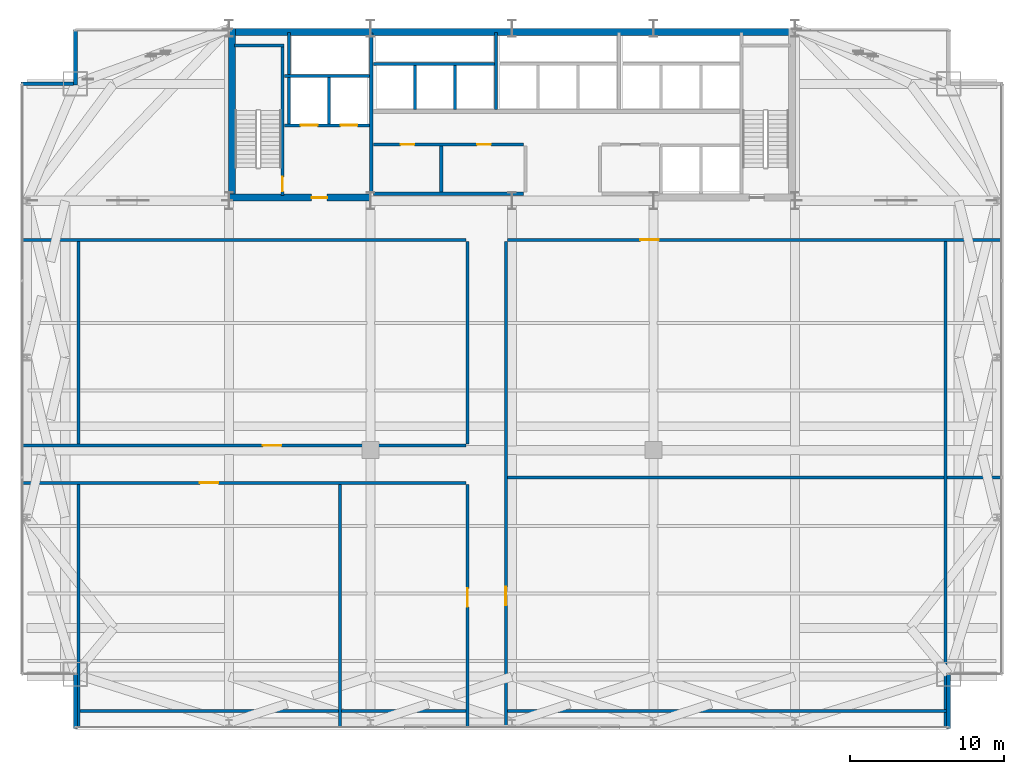
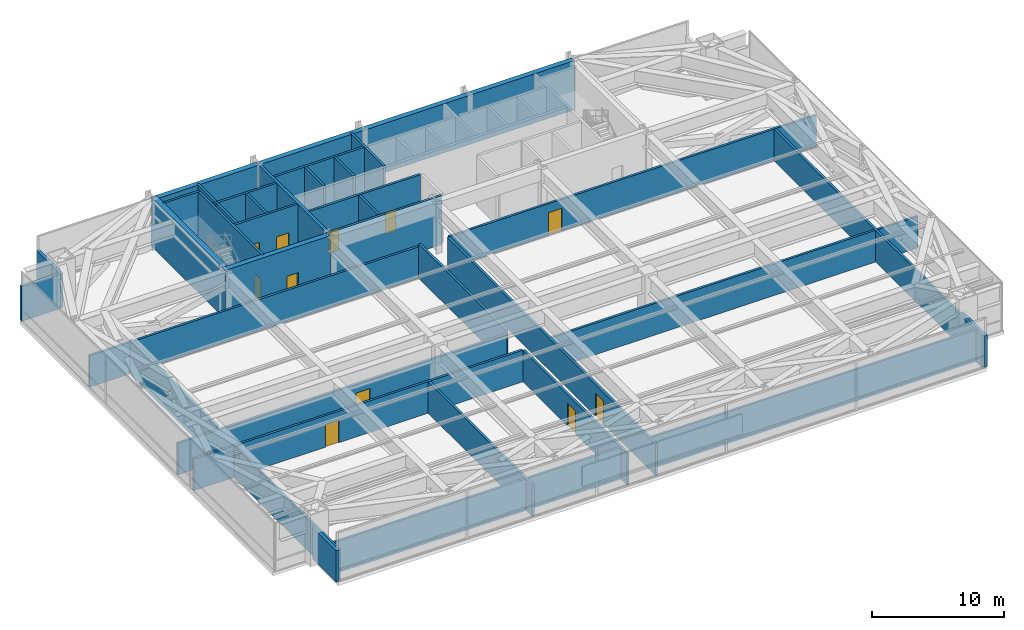
# One storey, part 28 of 30: 35 walls, 11 doors, 11 openings.
"""IFC4 building model written with IfcOpenShell, lengths in metres."""

from ifc_helpers import new_model, si_unit, direction, frame, frame_2d, origin, place, context, subcontext, project, spatial, rectangle, extrude, source, transform, mapped, material, layer, layer_set, type_object, type_shapes, element, fill, save


model = new_model("IFC4")

# Units and contexts
model_context = context("Model", 3, precision=1e-05, world=origin(), true_north=direction((0.0, 1.0)))
body_context = subcontext(model_context, "Body", "Model", "MODEL_VIEW")
ifc_project = project(units=[si_unit("LENGTHUNIT", "METRE"), si_unit("AREAUNIT", "SQUARE_METRE"), si_unit("VOLUMEUNIT", "CUBIC_METRE"), si_unit("PLANEANGLEUNIT", "RADIAN"), si_unit("MASSUNIT", "GRAM", prefix="KILO")], contexts=[model_context])

# Site, building, storey
site_placement = place(None, origin())
site = spatial("IfcSite", under=ifc_project, at=site_placement, CompositionType="ELEMENT")
building_placement = place(site_placement, origin())
building = spatial("IfcBuilding", under=site, at=building_placement, Name="Varnel Quay Broadcast Tower", CompositionType="ELEMENT")
storey_placement = place(building_placement, frame((0.0, 0.0, 82.199951171875)))
storey = spatial("IfcBuildingStorey", under=building, at=storey_placement, Name="L19", CompositionType="ELEMENT", Elevation=82.199951171875)

# Wall, opening, door
ifc_material_1 = material(Name="Concrete CSA A23.3 C50/60", Category="concrete")
ifc_layer_1 = layer(ifc_material_1, 0.199951171875, Name="Concrete CSA A23.3 C50/60")
ifc_layer_set_1 = layer_set([ifc_layer_1], Name="Concrete CSA A23.3 C50/60")
wall_type_1 = type_object("IfcWallType", Name="Wall_CoreShaftShear200", PredefinedType="SHEAR", material=ifc_layer_set_1)
wall_1_placement = place(storey_placement, frame((19.080078125, 35.949951171875, 0.0), z_axis=(0.0, 0.0, 1.0), x_axis=(0.0, 1.0, 0.0)))
wall_1 = element("IfcWall", 1, at=wall_1_placement, inside=storey, type_object=wall_type_1, Name="L19 Stair 1 East Structural Wall", PredefinedType="SHEAR", context=body_context, shape_type="SweptSolid", body=[
    extrude(rectangle(XDim=9.650146484375, YDim=0.199951171875, at=frame_2d((4.8251953125, 0.0))), origin(), (0.0, 0.0, 1.0), 4.550048828125),
])
opening_1_placement = place(wall_1_placement, frame((0.25, 0.0, 0.0)))
opening_1 = element("IfcOpeningElement", 2, at=opening_1_placement, cuts=wall_1, Name="Opening D-L19-S1", PredefinedType="OPENING", context=body_context, shape_type="SweptSolid", body=[
    extrude(rectangle(XDim=0.949951171875, YDim=2.10009765625, at=frame_2d((0.47509765625, 1.050048828125))), frame((0.0, 0.10986328125, 0.0), z_axis=(0.0, -1.0, 0.0), x_axis=(1.0, 0.0, 0.0)), (0.0, 0.0, 1.0), 0.219970703125),
])
ifc_material_2 = material(Name="Insulated Fire-Rated Hollow Steel Door", Category="steel")
door_type_1 = type_object("IfcDoorType", Name="Door_FireStair950", OperationType="NOTDEFINED", PredefinedType="DOOR", material=ifc_material_2)
shared_shape_1 = source(origin(), body_context, "Body", "SweptSolid", [
    extrude(rectangle(XDim=0.949951171875, YDim=2.10009765625, at=frame_2d((0.47509765625, 1.050048828125))), frame((0.0, 0.02490234375, 0.0), z_axis=(0.0, -1.0, 0.0), x_axis=(1.0, 0.0, 0.0)), (0.0, 0.0, 1.0), 0.050048828125),
])
type_shapes(door_type_1, [shared_shape_1])
door_1_placement = place(opening_1_placement, origin())
door_1 = element("IfcDoor", 3, at=door_1_placement, inside=storey, type_object=door_type_1, Name="L19 Stair 1 Fire Door", OperationType="SINGLE_SWING_LEFT", OverallHeight=2.10009765625, OverallWidth=0.949951171875, PredefinedType="DOOR", context=body_context, shape_type="MappedRepresentation", body=[
    mapped(shared_shape_1, transform((0.0, 0.0, 0.0), x_axis=(1.0, 0.0, 0.0), y_axis=(0.0, 1.0, 0.0), z_axis=(0.0, 0.0, 1.0), scale=1.0)),
])
fill(opening_1, door_1)

# Wall
wall_2_placement = place(storey_placement, frame((15.949951171875, 45.679931640625, 0.0), z_axis=(0.0, 0.0, 1.0), x_axis=(1.0, 0.0, 0.0)))
element("IfcWall", 4, at=wall_2_placement, inside=storey, type_object=wall_type_1, Name="L19 Stair 1 North Structural Wall", PredefinedType="SHEAR", context=body_context, shape_type="SweptSolid", body=[
    extrude(rectangle(XDim=3.22998046875, YDim=0.199951171875, at=frame_2d((1.614990234375, 0.0))), origin(), (0.0, 0.0, 1.0), 4.550048828125),
])

# Wall, openings, doors
wall_3_placement = place(storey_placement, frame((19.199951171875, 40.5, 0.0), z_axis=(0.0, 0.0, 1.0), x_axis=(1.0, 0.0, 0.0)))
wall_3 = element("IfcWall", 5, at=wall_3_placement, inside=storey, type_object=wall_type_1, Name="L19 Firefighter Lift Shaft Front Wall", PredefinedType="SHEAR", context=body_context, shape_type="SweptSolid", body=[
    extrude(rectangle(XDim=5.52001953125, YDim=0.199951171875, at=frame_2d((2.760009765625, 0.0))), origin(), (0.0, 0.0, 1.0), 4.550048828125),
])
opening_2_placement = place(wall_3_placement, frame((1.050048828125, 0.0, 0.0)))
opening_2 = element("IfcOpeningElement", 6, at=opening_2_placement, cuts=wall_3, Name="Opening LD-L19-FE1", PredefinedType="OPENING", context=body_context, shape_type="SweptSolid", body=[
    extrude(rectangle(XDim=1.10009765625, YDim=2.179931640625, at=frame_2d((0.550048828125, 1.08984375))), frame((0.0, 0.10986328125, 0.0), z_axis=(0.0, -1.0, 0.0), x_axis=(1.0, 0.0, 0.0)), (0.0, 0.0, 1.0), 0.219970703125),
])
opening_3_placement = place(wall_3_placement, frame((3.64990234375, 0.0, 0.0)))
opening_3 = element("IfcOpeningElement", 7, at=opening_3_placement, cuts=wall_3, Name="Opening LD-L19-FE2", PredefinedType="OPENING", context=body_context, shape_type="SweptSolid", body=[
    extrude(rectangle(XDim=1.10009765625, YDim=2.179931640625, at=frame_2d((0.550048828125, 1.08984375))), frame((0.0, 0.10986328125, 0.0), z_axis=(0.0, -1.0, 0.0), x_axis=(1.0, 0.0, 0.0)), (0.0, 0.0, 1.0), 0.219970703125),
])
ifc_material_3 = material(Name="Brushed Bronze-Stainless Lift Car & Sliding Doors", Category="steel")
door_type_2 = type_object("IfcDoorType", Name="Door_LiftLanding1100", OperationType="SLIDING_TO_LEFT", PredefinedType="DOOR", material=ifc_material_3)
shared_shape_2 = source(origin(), body_context, "Body", "SweptSolid", [
    extrude(rectangle(XDim=1.10009765625, YDim=2.179931640625, at=frame_2d((0.550048828125, 1.08984375))), frame((0.0, 0.02490234375, 0.0), z_axis=(0.0, -1.0, 0.0), x_axis=(1.0, 0.0, 0.0)), (0.0, 0.0, 1.0), 0.050048828125),
])
type_shapes(door_type_2, [shared_shape_2])
door_2_placement = place(opening_2_placement, frame((1.10009765625, 0.0, 0.0), z_axis=(0.0, 0.0, 1.0), x_axis=(-1.0, 0.0, 0.0)))
door_2 = element("IfcDoor", 8, at=door_2_placement, inside=storey, type_object=door_type_2, Name="L19 Firefighter Lift FE-01 Landing Door", OperationType="SLIDING_TO_LEFT", OverallHeight=2.179931640625, OverallWidth=1.10009765625, PredefinedType="DOOR", context=body_context, shape_type="MappedRepresentation", body=[
    mapped(shared_shape_2, transform((0.0, 0.0, 0.0), x_axis=(1.0, 0.0, 0.0), y_axis=(0.0, 1.0, 0.0), z_axis=(0.0, 0.0, 1.0), scale=1.0)),
])
fill(opening_2, door_2)
door_3_placement = place(opening_3_placement, frame((1.10009765625, 0.0, 0.0), z_axis=(0.0, 0.0, 1.0), x_axis=(-1.0, 0.0, 0.0)))
door_3 = element("IfcDoor", 9, at=door_3_placement, inside=storey, type_object=door_type_2, Name="L19 Firefighter Lift FE-02 Landing Door", OperationType="SLIDING_TO_RIGHT", OverallHeight=2.179931640625, OverallWidth=1.10009765625, PredefinedType="DOOR", context=body_context, shape_type="MappedRepresentation", body=[
    mapped(shared_shape_2, transform((0.0, 0.0, 0.0), x_axis=(1.0, 0.0, 0.0), y_axis=(0.0, 1.0, 0.0), z_axis=(0.0, 0.0, 1.0), scale=1.0)),
])
fill(opening_3, door_3)

# Walls
wall_4_placement = place(storey_placement, frame((19.199951171875, 43.699951171875, 0.0), z_axis=(0.0, 0.0, 1.0), x_axis=(1.0, 0.0, 0.0)))
element("IfcWall", 10, at=wall_4_placement, inside=storey, type_object=wall_type_1, Name="L19 Firefighter Lift Shaft Rear Wall", PredefinedType="SHEAR", context=body_context, shape_type="SweptSolid", body=[
    extrude(rectangle(XDim=5.52001953125, YDim=0.199951171875, at=frame_2d((2.760009765625, 0.0))), origin(), (0.0, 0.0, 1.0), 4.550048828125),
])
wall_5_placement = place(storey_placement, frame((22.10009765625, 40.60009765625, 0.0), z_axis=(0.0, 0.0, 1.0), x_axis=(0.0, 1.0, 0.0)))
element("IfcWall", 11, at=wall_5_placement, inside=storey, type_object=wall_type_1, Name="L19 Firefighter Lift Shaft Divider", PredefinedType="SHEAR", context=body_context, shape_type="SweptSolid", body=[
    extrude(rectangle(XDim=3.0, YDim=0.199951171875, at=frame_2d((1.5, 0.0))), origin(), (0.0, 0.0, 1.0), 4.550048828125),
])
wall_6_placement = place(storey_placement, frame((19.5, 40.60009765625, 0.0), z_axis=(0.0, 0.0, 1.0), x_axis=(0.0, 1.0, 0.0)))
element("IfcWall", 12, at=wall_6_placement, inside=storey, type_object=wall_type_1, Name="L19 Firefighter Lift Shaft West Wall", PredefinedType="SHEAR", context=body_context, shape_type="SweptSolid", body=[
    extrude(rectangle(XDim=5.949951171875, YDim=0.199951171875, at=frame_2d((2.97509765625, 0.0))), origin(), (0.0, 0.0, 1.0), 4.550048828125),
])
wall_7_placement = place(storey_placement, frame((24.97998046875, 44.5, 0.0), z_axis=(0.0, 0.0, 1.0), x_axis=(1.0, 0.0, 0.0)))
element("IfcWall", 13, at=wall_7_placement, inside=storey, type_object=wall_type_1, Name="L19 Low-Rise Lift Shaft Rear Wall", PredefinedType="SHEAR", context=body_context, shape_type="SweptSolid", body=[
    extrude(rectangle(XDim=7.8701171875, YDim=0.199951171875, at=frame_2d((3.93505859375, 0.0))), origin(), (0.0, 0.0, 1.0), 4.550048828125),
])
for number, where, z_axis, x_axis, name in (
    (14, (27.699951171875, 41.530029296875, 0.0), (0.0, 0.0, 1.0), (0.0, 1.0, 0.0), "L19 Low-Rise Lift Shaft Divider 1"),
    (15, (30.300048828125, 41.530029296875, 0.0), (0.0, 0.0, 1.0), (0.0, 1.0, 0.0), "L19 Low-Rise Lift Shaft Divider 2"),
):
    element("IfcWall", number, at=place(storey_placement, frame(where, z_axis=z_axis, x_axis=x_axis)), inside=storey, type_object=wall_type_1, Name=name, PredefinedType="SHEAR", context=body_context, shape_type="SweptSolid", body=[
        extrude(rectangle(XDim=2.869873046875, YDim=0.199951171875, at=frame_2d((1.43505859375, 0.0))), origin(), (0.0, 0.0, 1.0), 4.550048828125),
    ])
wall_8_placement = place(storey_placement, frame((32.949951171875, 41.530029296875, 0.0), z_axis=(0.0, 0.0, 1.0), x_axis=(0.0, 1.0, 0.0)))
element("IfcWall", 16, at=wall_8_placement, inside=storey, type_object=wall_type_1, Name="L19 Low-Rise Lift Shaft Divider 3", PredefinedType="SHEAR", context=body_context, shape_type="SweptSolid", body=[
    extrude(rectangle(XDim=5.02001953125, YDim=0.199951171875, at=frame_2d((2.510009765625, 0.0))), origin(), (0.0, 0.0, 1.0), 4.550048828125),
])
ifc_layer_2 = layer(ifc_material_1, 0.25, Name="Concrete CSA A23.3 C50/60")
ifc_layer_set_2 = layer_set([ifc_layer_2], Name="Concrete CSA A23.3 C50/60")
wall_type_2 = type_object("IfcWallType", Name="Wall_CoreShaftShear250", PredefinedType="SHEAR", material=ifc_layer_set_2)
wall_9_placement = place(storey_placement, frame((24.85009765625, 36.050048828125, 0.0), z_axis=(0.0, 0.0, 1.0), x_axis=(0.0, 1.0, 0.0)))
element("IfcWall", 17, at=wall_9_placement, inside=storey, type_object=wall_type_2, Name="L19 Firefighting Lobby East Structural Wall", PredefinedType="SHEAR", context=body_context, shape_type="SweptSolid", body=[
    extrude(rectangle(XDim=10.449951171875, YDim=0.25, at=frame_2d((5.22509765625, 0.0))), origin(), (0.0, 0.0, 1.0), 4.550048828125),
])
ifc_material_4 = material(Name="Concrete CSA A23.3 C60/75", Category="concrete")
ifc_layer_3 = layer(ifc_material_4, 0.449951171875, Name="Concrete CSA A23.3 C60/75")
ifc_layer_set_3 = layer_set([ifc_layer_3], Name="Concrete CSA A23.3 C60/75")
wall_type_3 = type_object("IfcWallType", Name="Wall_CoreShearExt450", PredefinedType="SHEAR", material=ifc_layer_set_3)
wall_10_placement = place(storey_placement, frame((15.60009765625, 46.574951171875, 0.0), z_axis=(0.0, 0.0, 1.0), x_axis=(1.0, 0.0, 0.0)))
element("IfcWall", 18, at=wall_10_placement, inside=storey, type_object=wall_type_3, Name="L19 North Core Shear Wall", PredefinedType="SHEAR", context=body_context, shape_type="SweptSolid", body=[
    extrude(rectangle(XDim=36.7998046875, YDim=0.449951171875, at=frame_2d((18.39990234375, 0.0))), origin(), (0.0, 0.0, 1.0), 4.550048828125),
])
ifc_layer_4 = layer(ifc_material_4, 0.449951171875, Name="Concrete CSA A23.3 C60/75")
ifc_layer_set_4 = layer_set([ifc_layer_4], Name="Concrete CSA A23.3 C60/75")
wall_type_4 = type_object("IfcWallType", Name="Wall_CoreShearInt450", PredefinedType="SHEAR", material=ifc_layer_set_4)
wall_11_placement = place(storey_placement, frame((15.794921875, 35.570068359375, 0.0), z_axis=(0.0, 0.0, 1.0), x_axis=(0.0, 1.0, 0.0)))
element("IfcWall", 19, at=wall_11_placement, inside=storey, type_object=wall_type_4, Name="L19 West Core Shear Wall", PredefinedType="SHEAR", context=body_context, shape_type="SweptSolid", body=[
    extrude(rectangle(XDim=11.22998046875, YDim=0.449951171875, at=frame_2d((5.614990234375, 0.0))), origin(), (0.0, 0.0, 1.0), 4.550048828125),
])

# Wall, opening, door
wall_12_placement = place(storey_placement, frame((15.570068359375, 35.794921875, 0.0), z_axis=(0.0, 0.0, 1.0), x_axis=(1.0, 0.0, 0.0)))
wall_12 = element("IfcWall", 20, at=wall_12_placement, inside=storey, type_object=wall_type_4, Name="L19 South-West Core Shear Wall", PredefinedType="SHEAR", context=body_context, shape_type="SweptSolid", body=[
    extrude(rectangle(XDim=9.22998046875, YDim=0.449951171875, at=frame_2d((4.614990234375, 0.0))), origin(), (0.0, 0.0, 1.0), 4.550048828125),
])
opening_4_placement = place(wall_12_placement, frame((5.39990234375, 0.0, 0.0)))
opening_4 = element("IfcOpeningElement", 21, at=opening_4_placement, cuts=wall_12, Name="Opening D-L19-FFL", PredefinedType="OPENING", context=body_context, shape_type="SweptSolid", body=[
    extrude(rectangle(XDim=1.0, YDim=2.10009765625, at=frame_2d((0.5, 1.050048828125))), frame((0.0, 0.23486328125, 0.0), z_axis=(0.0, -1.0, 0.0), x_axis=(1.0, 0.0, 0.0)), (0.0, 0.0, 1.0), 0.469970703125),
])
door_type_3 = type_object("IfcDoorType", Name="Door_FireLobby1000", OperationType="NOTDEFINED", PredefinedType="DOOR", material=ifc_material_2)
shared_shape_3 = source(origin(), body_context, "Body", "SweptSolid", [
    extrude(rectangle(XDim=1.0, YDim=2.10009765625, at=frame_2d((0.5, 1.050048828125))), frame((0.0, 0.02490234375, 0.0), z_axis=(0.0, -1.0, 0.0), x_axis=(1.0, 0.0, 0.0)), (0.0, 0.0, 1.0), 0.050048828125),
])
type_shapes(door_type_3, [shared_shape_3])
door_4_placement = place(opening_4_placement, origin())
door_4 = element("IfcDoor", 22, at=door_4_placement, inside=storey, type_object=door_type_3, Name="L19 Firefighting Lobby Door", OperationType="SINGLE_SWING_RIGHT", OverallHeight=2.10009765625, OverallWidth=1.0, PredefinedType="DOOR", context=body_context, shape_type="MappedRepresentation", body=[
    mapped(shared_shape_3, transform((0.0, 0.0, 0.0), x_axis=(1.0, 0.0, 0.0), y_axis=(0.0, 1.0, 0.0), z_axis=(0.0, 0.0, 1.0), scale=1.0)),
])
fill(opening_4, door_4)

# Walls
ifc_material_5 = material(Name="Precast Architectural Concrete C40/50", Category="concrete")
ifc_layer_5 = layer(ifc_material_5, 0.25, Name="Precast Architectural Concrete C40/50")
ifc_layer_set_5 = layer_set([ifc_layer_5], Name="Precast Architectural Concrete C40/50")
wall_type_5 = type_object("IfcWallType", Name="Wall_ExtTerrace250", PredefinedType="SOLIDWALL", material=ifc_layer_set_5)
for number, where, z_axis, x_axis, name in (
    (23, (5.60009765625, 1.280029296875, 0.0), (0.0, 0.0, 1.0), (0.0, 1.0, 0.0), "L19 Mega-Column Notch Cladding Wall NSW2"),
    (24, (62.39990234375, 1.280029296875, 0.0), (0.0, 0.0, 1.0), (0.0, 1.0, 0.0), "L19 Mega-Column Notch Cladding Wall NSE2"),
):
    element("IfcWall", number, at=place(storey_placement, frame(where, z_axis=z_axis, x_axis=x_axis)), inside=storey, type_object=wall_type_5, Name=name, PredefinedType="SOLIDWALL", context=body_context, shape_type="SweptSolid", body=[
        extrude(rectangle(XDim=3.599853515625, YDim=0.25, at=frame_2d((1.7998046875, 0.0))), origin(), (0.0, 0.0, 1.0), 2.925048828125),
    ])
wall_13_placement = place(storey_placement, frame((2.080078125, 43.199951171875, 0.0), z_axis=(0.0, 0.0, 1.0), x_axis=(1.0, 0.0, 0.0)))
element("IfcWall", 25, at=wall_13_placement, inside=storey, type_object=wall_type_5, Name="L19 Mega-Column Notch Cladding Wall NNW1", PredefinedType="SOLIDWALL", context=body_context, shape_type="SweptSolid", body=[
    extrude(rectangle(XDim=3.389892578125, YDim=0.25, at=frame_2d((1.69482421875, 0.0))), origin(), (0.0, 0.0, 1.0), 3.195068359375),
])
wall_14_placement = place(storey_placement, frame((5.60009765625, 43.1201171875, 0.0), z_axis=(0.0, 0.0, 1.0), x_axis=(0.0, 1.0, 0.0)))
element("IfcWall", 26, at=wall_14_placement, inside=storey, type_object=wall_type_5, Name="L19 Mega-Column Notch Cladding Wall NNW2", PredefinedType="SOLIDWALL", context=body_context, shape_type="SweptSolid", body=[
    extrude(rectangle(XDim=3.599853515625, YDim=0.25, at=frame_2d((1.7998046875, 0.0))), origin(), (0.0, 0.0, 1.0), 3.195068359375),
])
ifc_material_6 = material(Name="Concrete Blockwork Fire Enclosure C40/50", Category="masonry")
ifc_layer_6 = layer(ifc_material_6, 0.199951171875, Name="Concrete Blockwork Fire Enclosure C40/50")
ifc_layer_set_6 = layer_set([ifc_layer_6], Name="Concrete Blockwork Fire Enclosure C40/50")
wall_type_6 = type_object("IfcWallType", Name="Wall_FireShaft200", PredefinedType="SOLIDWALL", material=ifc_layer_set_6)
wall_15_placement = place(storey_placement, frame((25.0, 36.050048828125, 0.0), z_axis=(0.0, 0.0, 1.0), x_axis=(1.0, 0.0, 0.0)))
element("IfcWall", 27, at=wall_15_placement, inside=storey, type_object=wall_type_6, Name="L19 Plant Floor Accessible Washroom Partition 1", PredefinedType="SOLIDWALL", context=body_context, shape_type="SweptSolid", body=[
    extrude(rectangle(XDim=9.75, YDim=0.199951171875, at=frame_2d((4.875, 0.0))), origin(), (0.0, 0.0, 1.0), 4.530029296875),
])
wall_16_placement = place(storey_placement, frame((29.39990234375, 36.14990234375, 0.0), z_axis=(0.0, 0.0, 1.0), x_axis=(0.0, 1.0, 0.0)))
element("IfcWall", 28, at=wall_16_placement, inside=storey, type_object=wall_type_6, Name="L19 Plant Floor Accessible Washroom Partition 2", PredefinedType="SOLIDWALL", context=body_context, shape_type="SweptSolid", body=[
    extrude(rectangle(XDim=3.0, YDim=0.199951171875, at=frame_2d((1.5, 0.0))), origin(), (0.0, 0.0, 1.0), 4.530029296875),
])

# Wall, openings, doors
wall_17_placement = place(storey_placement, frame((25.0, 39.25, 0.0), z_axis=(0.0, 0.0, 1.0), x_axis=(1.0, 0.0, 0.0)))
wall_17 = element("IfcWall", 29, at=wall_17_placement, inside=storey, type_object=wall_type_6, Name="L19 Plant Floor Accessible Washroom Partition 3", PredefinedType="SOLIDWALL", context=body_context, shape_type="SweptSolid", body=[
    extrude(rectangle(XDim=9.75, YDim=0.199951171875, at=frame_2d((4.875, 0.0))), origin(), (0.0, 0.0, 1.0), 4.530029296875),
])
opening_5_placement = place(wall_17_placement, frame((1.75, 0.0, 0.0)))
opening_5 = element("IfcOpeningElement", 30, at=opening_5_placement, cuts=wall_17, Name="Opening D-L19-01", PredefinedType="OPENING", context=body_context, shape_type="SweptSolid", body=[
    extrude(rectangle(XDim=0.89990234375, YDim=2.06005859375, at=frame_2d((0.449951171875, 1.030029296875))), frame((0.0, 0.10986328125, 0.0), z_axis=(0.0, -1.0, 0.0), x_axis=(1.0, 0.0, 0.0)), (0.0, 0.0, 1.0), 0.219970703125),
])
opening_6_placement = place(wall_17_placement, frame((6.72509765625, 0.0, 0.0)))
opening_6 = element("IfcOpeningElement", 31, at=opening_6_placement, cuts=wall_17, Name="Opening D-L19-02", PredefinedType="OPENING", context=body_context, shape_type="SweptSolid", body=[
    extrude(rectangle(XDim=0.89990234375, YDim=2.06005859375, at=frame_2d((0.449951171875, 1.030029296875))), frame((0.0, 0.10986328125, 0.0), z_axis=(0.0, -1.0, 0.0), x_axis=(1.0, 0.0, 0.0)), (0.0, 0.0, 1.0), 0.219970703125),
])
ifc_material_7 = material(Name="Solid-Core Fire-Rated Acoustic Oak Veneer Door", Category="wood")
door_type_4 = type_object("IfcDoorType", Name="Door_Washroom900", OperationType="NOTDEFINED", PredefinedType="DOOR", material=ifc_material_7)
shared_shape_4 = source(origin(), body_context, "Body", "SweptSolid", [
    extrude(rectangle(XDim=0.89990234375, YDim=2.06005859375, at=frame_2d((0.449951171875, 1.030029296875))), frame((0.0, 0.02490234375, 0.0), z_axis=(0.0, -1.0, 0.0), x_axis=(1.0, 0.0, 0.0)), (0.0, 0.0, 1.0), 0.050048828125),
])
type_shapes(door_type_4, [shared_shape_4])
door_5_placement = place(opening_5_placement, frame((0.89990234375, 0.0, 0.0), z_axis=(0.0, 0.0, 1.0), x_axis=(-1.0, 0.0, 0.0)))
door_5 = element("IfcDoor", 32, at=door_5_placement, inside=storey, type_object=door_type_4, Name="L19 Plant Floor Accessible Washroom Door D-L19-01", OperationType="SINGLE_SWING_RIGHT", OverallHeight=2.06005859375, OverallWidth=0.89990234375, PredefinedType="DOOR", context=body_context, shape_type="MappedRepresentation", body=[
    mapped(shared_shape_4, transform((0.0, 0.0, 0.0), x_axis=(1.0, 0.0, 0.0), y_axis=(0.0, 1.0, 0.0), z_axis=(0.0, 0.0, 1.0), scale=1.0)),
])
fill(opening_5, door_5)
door_6_placement = place(opening_6_placement, frame((0.89990234375, 0.0, 0.0), z_axis=(0.0, 0.0, 1.0), x_axis=(-1.0, 0.0, 0.0)))
door_6 = element("IfcDoor", 33, at=door_6_placement, inside=storey, type_object=door_type_4, Name="L19 Mechanical Staff Washrooms Door D-L19-02", OperationType="SINGLE_SWING_LEFT", OverallHeight=2.06005859375, OverallWidth=0.89990234375, PredefinedType="DOOR", context=body_context, shape_type="MappedRepresentation", body=[
    mapped(shared_shape_4, transform((0.0, 0.0, 0.0), x_axis=(1.0, 0.0, 0.0), y_axis=(0.0, 1.0, 0.0), z_axis=(0.0, 0.0, 1.0), scale=1.0)),
])
fill(opening_6, door_6)

# Wall, opening, door
wall_18_placement = place(storey_placement, frame((2.179931640625, 19.675048828125, 0.0), z_axis=(0.0, 0.0, 1.0), x_axis=(1.0, 0.0, 0.0)))
wall_18 = element("IfcWall", 34, at=wall_18_placement, inside=storey, type_object=wall_type_6, Name="L19 L19 West Protected Refuge Area Partition 8", PredefinedType="SOLIDWALL", context=body_context, shape_type="SweptSolid", body=[
    extrude(rectangle(XDim=28.820068359375, YDim=0.199951171875, at=frame_2d((14.41015625, 0.0))), origin(), (0.0, 0.0, 1.0), 2.925048828125),
])
opening_7_placement = place(wall_18_placement, frame((15.6201171875, 0.0, 0.0)))
opening_7 = element("IfcOpeningElement", 35, at=opening_7_placement, cuts=wall_18, Name="Opening D-L19-04", PredefinedType="OPENING", context=body_context, shape_type="SweptSolid", body=[
    extrude(rectangle(XDim=1.199951171875, YDim=2.10009765625, at=frame_2d((0.60009765625, 1.050048828125))), frame((0.0, 0.10986328125, 0.0), z_axis=(0.0, -1.0, 0.0), x_axis=(1.0, 0.0, 0.0)), (0.0, 0.0, 1.0), 0.219970703125),
])
door_type_5 = type_object("IfcDoorType", Name="Door_Plant1200", OperationType="NOTDEFINED", PredefinedType="DOOR", material=ifc_material_2)
shared_shape_5 = source(origin(), body_context, "Body", "SweptSolid", [
    extrude(rectangle(XDim=1.199951171875, YDim=2.10009765625, at=frame_2d((0.60009765625, 1.050048828125))), frame((0.0, 0.02490234375, 0.0), z_axis=(0.0, -1.0, 0.0), x_axis=(1.0, 0.0, 0.0)), (0.0, 0.0, 1.0), 0.050048828125),
])
type_shapes(door_type_5, [shared_shape_5])
door_7_placement = place(opening_7_placement, frame((1.199951171875, 0.0, 0.0), z_axis=(0.0, 0.0, 1.0), x_axis=(-1.0, 0.0, 0.0)))
door_7 = element("IfcDoor", 36, at=door_7_placement, inside=storey, type_object=door_type_5, Name="L19 L19 West Protected Refuge Area Door D-L19-04", OperationType="SINGLE_SWING_LEFT", OverallHeight=2.10009765625, OverallWidth=1.199951171875, PredefinedType="DOOR", context=body_context, shape_type="MappedRepresentation", body=[
    mapped(shared_shape_5, transform((0.0, 0.0, 0.0), x_axis=(1.0, 0.0, 0.0), y_axis=(0.0, 1.0, 0.0), z_axis=(0.0, 0.0, 1.0), scale=1.0)),
])
fill(opening_7, door_7)

# Walls
wall_19_placement = place(storey_placement, frame((31.10009765625, 19.77490234375, 0.0), z_axis=(0.0, 0.0, 1.0), x_axis=(0.0, 1.0, 0.0)))
element("IfcWall", 37, at=wall_19_placement, inside=storey, type_object=wall_type_6, Name="L19 L19 West Protected Refuge Area Partition 9", PredefinedType="SOLIDWALL", context=body_context, shape_type="SweptSolid", body=[
    extrude(rectangle(XDim=13.175048828125, YDim=0.199951171875, at=frame_2d((6.58740234375, 0.0))), origin(), (0.0, 0.0, 1.0), 3.195068359375),
])
wall_20_placement = place(storey_placement, frame((2.179931640625, 33.050048828125, 0.0), z_axis=(0.0, 0.0, 1.0), x_axis=(1.0, 0.0, 0.0)))
element("IfcWall", 38, at=wall_20_placement, inside=storey, type_object=wall_type_6, Name="L19 L19 West Protected Refuge Area Partition 10", PredefinedType="SOLIDWALL", context=body_context, shape_type="SweptSolid", body=[
    extrude(rectangle(XDim=28.820068359375, YDim=0.199951171875, at=frame_2d((14.41015625, 0.0))), origin(), (0.0, 0.0, 1.0), 2.925048828125),
])
wall_21_placement = place(storey_placement, frame((5.800048828125, 19.77490234375, 0.0), z_axis=(0.0, 0.0, 1.0), x_axis=(0.0, 1.0, 0.0)))
element("IfcWall", 39, at=wall_21_placement, inside=storey, type_object=wall_type_6, Name="L19 L19 West Protected Refuge Area Partition 11", PredefinedType="SOLIDWALL", context=body_context, shape_type="SweptSolid", body=[
    extrude(rectangle(XDim=13.175048828125, YDim=0.199951171875, at=frame_2d((6.58740234375, 0.0))), origin(), (0.0, 0.0, 1.0), 3.195068359375),
])
wall_22_placement = place(storey_placement, frame((33.699951171875, 17.60009765625, 0.0), z_axis=(0.0, 0.0, 1.0), x_axis=(1.0, 0.0, 0.0)))
element("IfcWall", 40, at=wall_22_placement, inside=storey, type_object=wall_type_6, Name="L19 L19 East Protected Refuge Area Partition 12", PredefinedType="SOLIDWALL", context=body_context, shape_type="SweptSolid", body=[
    extrude(rectangle(XDim=32.1201171875, YDim=0.199951171875, at=frame_2d((16.06005859375, 0.0))), origin(), (0.0, 0.0, 1.0), 2.925048828125),
])
wall_23_placement = place(storey_placement, frame((62.199951171875, 1.3798828125, 0.0), z_axis=(0.0, 0.0, 1.0), x_axis=(0.0, 1.0, 0.0)))
element("IfcWall", 41, at=wall_23_placement, inside=storey, type_object=wall_type_6, Name="L19 L19 East Protected Refuge Area Partition 13", PredefinedType="SOLIDWALL", context=body_context, shape_type="SweptSolid", body=[
    extrude(rectangle(XDim=31.570068359375, YDim=0.199951171875, at=frame_2d((15.78515625, 0.0))), origin(), (0.0, 0.0, 1.0), 2.925048828125),
])

# Wall, opening, door
wall_24_placement = place(storey_placement, frame((33.699951171875, 33.050048828125, 0.0), z_axis=(0.0, 0.0, 1.0), x_axis=(1.0, 0.0, 0.0)))
wall_24 = element("IfcWall", 42, at=wall_24_placement, inside=storey, type_object=wall_type_6, Name="L19 L19 East Protected Refuge Area Partition 14", PredefinedType="SOLIDWALL", context=body_context, shape_type="SweptSolid", body=[
    extrude(rectangle(XDim=32.1201171875, YDim=0.199951171875, at=frame_2d((16.06005859375, 0.0))), origin(), (0.0, 0.0, 1.0), 2.925048828125),
])
opening_8_placement = place(wall_24_placement, frame((8.64990234375, 0.0, 0.0)))
opening_8 = element("IfcOpeningElement", 43, at=opening_8_placement, cuts=wall_24, Name="Opening D-L19-05", PredefinedType="OPENING", context=body_context, shape_type="SweptSolid", body=[
    extrude(rectangle(XDim=1.199951171875, YDim=2.10009765625, at=frame_2d((0.60009765625, 1.050048828125))), frame((0.0, 0.10986328125, 0.0), z_axis=(0.0, -1.0, 0.0), x_axis=(1.0, 0.0, 0.0)), (0.0, 0.0, 1.0), 0.219970703125),
])
door_8_placement = place(opening_8_placement, origin())
door_8 = element("IfcDoor", 44, at=door_8_placement, inside=storey, type_object=door_type_5, Name="L19 L19 East Protected Refuge Area Door D-L19-05", OperationType="SINGLE_SWING_RIGHT", OverallHeight=2.10009765625, OverallWidth=1.199951171875, PredefinedType="DOOR", context=body_context, shape_type="MappedRepresentation", body=[
    mapped(shared_shape_5, transform((0.0, 0.0, 0.0), x_axis=(1.0, 0.0, 0.0), y_axis=(0.0, 1.0, 0.0), z_axis=(0.0, 0.0, 1.0), scale=1.0)),
])
fill(opening_8, door_8)

wall_25_placement = place(storey_placement, frame((33.60009765625, 1.3798828125, 0.0), z_axis=(0.0, 0.0, 1.0), x_axis=(0.0, 1.0, 0.0)))
wall_25 = element("IfcWall", 45, at=wall_25_placement, inside=storey, type_object=wall_type_6, Name="L19 L19 East Protected Refuge Area Partition 15", PredefinedType="SOLIDWALL", context=body_context, shape_type="SweptSolid", body=[
    extrude(rectangle(XDim=31.570068359375, YDim=0.199951171875, at=frame_2d((15.78515625, 0.0))), origin(), (0.0, 0.0, 1.0), 2.925048828125),
])
opening_9_placement = place(wall_25_placement, frame((7.89501953125, 0.0, 0.0)))
opening_9 = element("IfcOpeningElement", 46, at=opening_9_placement, cuts=wall_25, Name="Opening D-L19-08", PredefinedType="OPENING", context=body_context, shape_type="SweptSolid", body=[
    extrude(rectangle(XDim=1.199951171875, YDim=2.10009765625, at=frame_2d((0.60009765625, 1.050048828125))), frame((0.0, 0.10986328125, 0.0), z_axis=(0.0, -1.0, 0.0), x_axis=(1.0, 0.0, 0.0)), (0.0, 0.0, 1.0), 0.219970703125),
])
door_9_placement = place(opening_9_placement, origin())
door_9 = element("IfcDoor", 47, at=door_9_placement, inside=storey, type_object=door_type_5, Name="L19 L19 Electrical Transformer Substation Plant Room Door D-L19-08", OperationType="SINGLE_SWING_LEFT", OverallHeight=2.10009765625, OverallWidth=1.199951171875, PredefinedType="DOOR", context=body_context, shape_type="MappedRepresentation", body=[
    mapped(shared_shape_5, transform((0.0, 0.0, 0.0), x_axis=(1.0, 0.0, 0.0), y_axis=(0.0, 1.0, 0.0), z_axis=(0.0, 0.0, 1.0), scale=1.0)),
])
fill(opening_9, door_9)

# Walls
wall_26_placement = place(storey_placement, frame((5.719970703125, 2.39990234375, 0.0), z_axis=(0.0, 0.0, 1.0), x_axis=(1.0, 0.0, 0.0)))
element("IfcWall", 48, at=wall_26_placement, inside=storey, type_object=wall_type_6, Name="L19 L19 Mechanical AHU Plant Room Partition 16", PredefinedType="SOLIDWALL", context=body_context, shape_type="SweptSolid", body=[
    extrude(rectangle(XDim=25.280029296875, YDim=0.199951171875, at=frame_2d((12.64013671875, 0.0))), origin(), (0.0, 0.0, 1.0), 2.925048828125),
])
wall_27_placement = place(storey_placement, frame((22.800048828125, 1.3798828125, 0.0), z_axis=(0.0, 0.0, 1.0), x_axis=(0.0, 1.0, 0.0)))
element("IfcWall", 49, at=wall_27_placement, inside=storey, type_object=wall_type_6, Name="L19 L19 Mechanical AHU Plant Room Partition 17", PredefinedType="SOLIDWALL", context=body_context, shape_type="SweptSolid", body=[
    extrude(rectangle(XDim=15.77001953125, YDim=0.199951171875, at=frame_2d((7.885009765625, 0.0))), origin(), (0.0, 0.0, 1.0), 2.925048828125),
])

# Wall, opening, door
wall_28_placement = place(storey_placement, frame((2.179931640625, 17.25, 0.0), z_axis=(0.0, 0.0, 1.0), x_axis=(1.0, 0.0, 0.0)))
wall_28 = element("IfcWall", 50, at=wall_28_placement, inside=storey, type_object=wall_type_6, Name="L19 L19 Mechanical AHU Plant Room Partition 18", PredefinedType="SOLIDWALL", context=body_context, shape_type="SweptSolid", body=[
    extrude(rectangle(XDim=28.820068359375, YDim=0.199951171875, at=frame_2d((14.41015625, 0.0))), origin(), (0.0, 0.0, 1.0), 2.925048828125),
])
opening_10_placement = place(wall_28_placement, frame((11.52001953125, 0.0, 0.0)))
opening_10 = element("IfcOpeningElement", 51, at=opening_10_placement, cuts=wall_28, Name="Opening D-L19-06", PredefinedType="OPENING", context=body_context, shape_type="SweptSolid", body=[
    extrude(rectangle(XDim=1.199951171875, YDim=2.10009765625, at=frame_2d((0.60009765625, 1.050048828125))), frame((0.0, 0.10986328125, 0.0), z_axis=(0.0, -1.0, 0.0), x_axis=(1.0, 0.0, 0.0)), (0.0, 0.0, 1.0), 0.219970703125),
])
door_10_placement = place(opening_10_placement, origin())
door_10 = element("IfcDoor", 52, at=door_10_placement, inside=storey, type_object=door_type_5, Name="L19 L19 Mechanical AHU Plant Room Door D-L19-06", OperationType="SINGLE_SWING_LEFT", OverallHeight=2.10009765625, OverallWidth=1.199951171875, PredefinedType="DOOR", context=body_context, shape_type="MappedRepresentation", body=[
    mapped(shared_shape_5, transform((0.0, 0.0, 0.0), x_axis=(1.0, 0.0, 0.0), y_axis=(0.0, 1.0, 0.0), z_axis=(0.0, 0.0, 1.0), scale=1.0)),
])
fill(opening_10, door_10)

# Wall
wall_29_placement = place(storey_placement, frame((5.800048828125, 1.3798828125, 0.0), z_axis=(0.0, 0.0, 1.0), x_axis=(0.0, 1.0, 0.0)))
element("IfcWall", 53, at=wall_29_placement, inside=storey, type_object=wall_type_6, Name="L19 L19 Mechanical AHU Plant Room Partition 19", PredefinedType="SOLIDWALL", context=body_context, shape_type="SweptSolid", body=[
    extrude(rectangle(XDim=15.77001953125, YDim=0.199951171875, at=frame_2d((7.885009765625, 0.0))), origin(), (0.0, 0.0, 1.0), 2.925048828125),
])

# Wall, opening, door
wall_30_placement = place(storey_placement, frame((31.10009765625, 1.3798828125, 0.0), z_axis=(0.0, 0.0, 1.0), x_axis=(0.0, 1.0, 0.0)))
wall_30 = element("IfcWall", 54, at=wall_30_placement, inside=storey, type_object=wall_type_6, Name="L19 L19 Hydronic Heat-Exchanger Plant Room Partition 20", PredefinedType="SOLIDWALL", context=body_context, shape_type="SweptSolid", body=[
    extrude(rectangle(XDim=15.77001953125, YDim=0.199951171875, at=frame_2d((7.885009765625, 0.0))), origin(), (0.0, 0.0, 1.0), 2.925048828125),
])
opening_11_placement = place(wall_30_placement, frame((7.794921875, 0.0, 0.0)))
opening_11 = element("IfcOpeningElement", 55, at=opening_11_placement, cuts=wall_30, Name="Opening D-L19-07", PredefinedType="OPENING", context=body_context, shape_type="SweptSolid", body=[
    extrude(rectangle(XDim=1.199951171875, YDim=2.10009765625, at=frame_2d((0.60009765625, 1.050048828125))), frame((0.0, 0.10986328125, 0.0), z_axis=(0.0, -1.0, 0.0), x_axis=(1.0, 0.0, 0.0)), (0.0, 0.0, 1.0), 0.219970703125),
])
door_11_placement = place(opening_11_placement, frame((1.199951171875, 0.0, 0.0), z_axis=(0.0, 0.0, 1.0), x_axis=(-1.0, 0.0, 0.0)))
door_11 = element("IfcDoor", 56, at=door_11_placement, inside=storey, type_object=door_type_5, Name="L19 L19 Hydronic Heat-Exchanger Plant Room Door D-L19-07", OperationType="SINGLE_SWING_RIGHT", OverallHeight=2.10009765625, OverallWidth=1.199951171875, PredefinedType="DOOR", context=body_context, shape_type="MappedRepresentation", body=[
    mapped(shared_shape_5, transform((0.0, 0.0, 0.0), x_axis=(1.0, 0.0, 0.0), y_axis=(0.0, 1.0, 0.0), z_axis=(0.0, 0.0, 1.0), scale=1.0)),
])
fill(opening_11, door_11)

# Wall
wall_31_placement = place(storey_placement, frame((33.699951171875, 2.39990234375, 0.0), z_axis=(0.0, 0.0, 1.0), x_axis=(1.0, 0.0, 0.0)))
element("IfcWall", 57, at=wall_31_placement, inside=storey, type_object=wall_type_6, Name="L19 L19 Electrical Transformer Substation Plant Room Partition 21", PredefinedType="SOLIDWALL", context=body_context, shape_type="SweptSolid", body=[
    extrude(rectangle(XDim=28.580078125, YDim=0.199951171875, at=frame_2d((14.2900390625, 0.0))), origin(), (0.0, 0.0, 1.0), 2.925048828125),
])

save(model, "model.ifc")
